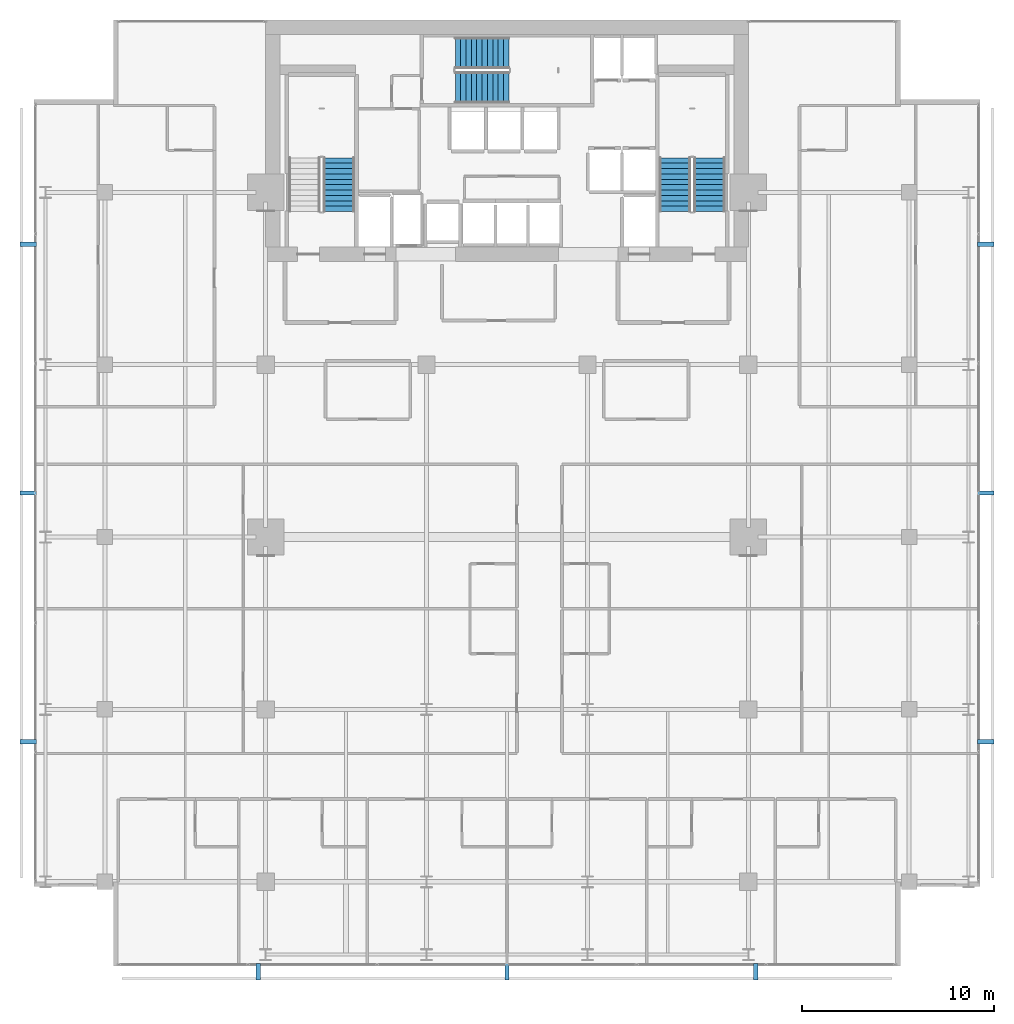
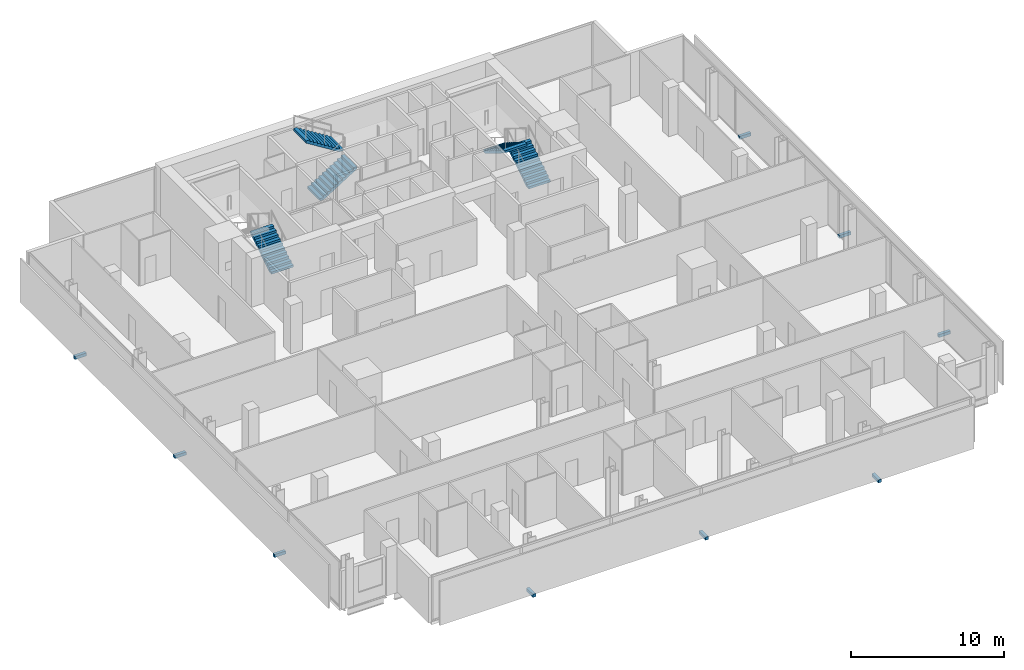
# One storey, part 31 of 33: 9 discrete accessories, 5 stair flights, 3 elements without a shape of their own.
"""IFC4 building model written with IfcOpenShell, lengths in metres."""

from ifc_helpers import new_model, si_unit, direction, frame, origin, origin_2d, place, context, subcontext, project, spatial, polyline, rectangle, outline, extrude, material, type_object, element, aggregate, save


model = new_model("IFC4")

# Units and contexts
model_context = context("Model", 3, precision=1e-05, world=origin(), true_north=direction((0.0, 1.0)))
body_context = subcontext(model_context, "Body", "Model", "MODEL_VIEW")
ifc_project = project(units=[si_unit("LENGTHUNIT", "METRE"), si_unit("AREAUNIT", "SQUARE_METRE"), si_unit("VOLUMEUNIT", "CUBIC_METRE"), si_unit("PLANEANGLEUNIT", "RADIAN"), si_unit("MASSUNIT", "GRAM", prefix="KILO")], contexts=[model_context])

# Site, building, storey
site_placement = place(None, origin())
site = spatial("IfcSite", under=ifc_project, at=site_placement, CompositionType="ELEMENT")
building_placement = place(site_placement, origin())
building = spatial("IfcBuilding", under=site, at=building_placement, Name="Maruvema Waterfront Hotel and Observation Tower", CompositionType="ELEMENT")
storey_placement = place(building_placement, frame((0.0, 0.0, 196.699951171875)))
storey = spatial("IfcBuildingStorey", under=building, at=storey_placement, Name="L48", CompositionType="ELEMENT", Elevation=196.699951171875)

# Stair, stair flight
ifc_material_1 = material(Name="Concrete C50/60", Category="concrete")
stair_type = type_object("IfcStairType", Name="Dogleg Exit Stair 1650 mm (22R x 175.0 mm)", PredefinedType="HALF_TURN_STAIR", material=ifc_material_1)
stair_1_placement = place(storey_placement, origin())
stair_1 = element("IfcStair", 1, at=stair_1_placement, inside=storey, type_object=stair_type, Name="L48 ST-01", PredefinedType="HALF_TURN_STAIR")
ifc_material_2 = material(Name="Concrete C50/60", Category="concrete")
stair_flight_type = type_object("IfcStairFlightType", Name="Reinforced Concrete Stair Flight 1650 mm (11R x 175.0 mm)", PredefinedType="STRAIGHT", material=ifc_material_2)
stair_flight_1_placement = place(storey_placement, frame((29.02490234375, 44.0, 0.0), z_axis=(0.0, 0.0, 1.0), x_axis=(0.0, 1.0, 0.0)))
stair_flight_1 = element("IfcStairFlight", 2, at=stair_flight_1_placement, type_object=stair_flight_type, Name="ST-01 flight 1", NumberOfRisers=11, NumberOfTreads=10, PredefinedType="STRAIGHT", RiserHeight=0.175, TreadLength=0.28, context=body_context, shape_type="SweptSolid", body=[
    extrude(outline(polyline([(0.0, 0.0), (0.0, 0.175048828125), (0.280029296875, 0.175048828125), (0.280029296875, 0.35009765625), (0.56005859375, 0.35009765625), (0.56005859375, 0.52490234375), (0.840087890625, 0.52490234375), (0.840087890625, 0.699951171875), (1.1201171875, 0.699951171875), (1.1201171875, 0.875), (1.39990234375, 0.875), (1.39990234375, 1.050048828125), (1.679931640625, 1.050048828125), (1.679931640625, 1.22509765625), (1.9599609375, 1.22509765625), (1.9599609375, 1.39990234375), (2.239990234375, 1.39990234375), (2.239990234375, 1.574951171875), (2.52001953125, 1.574951171875), (2.52001953125, 1.75), (2.800048828125, 1.75), (2.800048828125, 1.925048828125), (2.800048828125, 1.5732421875), (0.28271484375, 0.0), (0.0, 0.0)])), frame((0.0, 0.824951171875, 0.0), z_axis=(0.0, -1.0, 0.0), x_axis=(1.0, 0.0, 0.0)), (0.0, 0.0, 1.0), 1.64990234375),
])
aggregate(stair_1, [stair_flight_1])

# Stair, stair flights
stair_2_placement = place(storey_placement, origin())
stair_2 = element("IfcStair", 3, at=stair_2_placement, inside=storey, type_object=stair_type, Name="L48 ST-02", PredefinedType="HALF_TURN_STAIR")
stair_flight_2_placement = place(storey_placement, frame((35.10009765625, 50.47509765625, 0.0), z_axis=(0.0, 0.0, 1.0), x_axis=(1.0, 0.0, 0.0)))
stair_flight_2 = element("IfcStairFlight", 4, at=stair_flight_2_placement, type_object=stair_flight_type, Name="ST-02 flight 1", NumberOfRisers=11, NumberOfTreads=10, PredefinedType="STRAIGHT", RiserHeight=0.175, TreadLength=0.28, context=body_context, shape_type="SweptSolid", body=[
    extrude(outline(polyline([(0.0, 0.0), (0.0, 0.175048828125), (0.280029296875, 0.175048828125), (0.280029296875, 0.35009765625), (0.56005859375, 0.35009765625), (0.56005859375, 0.52490234375), (0.840087890625, 0.52490234375), (0.840087890625, 0.699951171875), (1.1201171875, 0.699951171875), (1.1201171875, 0.875), (1.39990234375, 0.875), (1.39990234375, 1.050048828125), (1.679931640625, 1.050048828125), (1.679931640625, 1.22509765625), (1.9599609375, 1.22509765625), (1.9599609375, 1.39990234375), (2.239990234375, 1.39990234375), (2.239990234375, 1.574951171875), (2.52001953125, 1.574951171875), (2.52001953125, 1.75), (2.800048828125, 1.75), (2.800048828125, 1.925048828125), (2.800048828125, 1.5732421875), (0.28271484375, 0.0), (0.0, 0.0)])), frame((0.0, 0.824951171875, 0.0), z_axis=(0.0, -1.0, 0.0), x_axis=(1.0, 0.0, 0.0)), (0.0, 0.0, 1.0), 1.64990234375),
])
stair_flight_3_placement = place(storey_placement, frame((37.89990234375, 52.27490234375, 1.925048828125), z_axis=(0.0, 0.0, 1.0), x_axis=(-1.0, 0.0, 0.0)))
stair_flight_3 = element("IfcStairFlight", 5, at=stair_flight_3_placement, type_object=stair_flight_type, Name="ST-02 flight 2", NumberOfRisers=11, NumberOfTreads=10, PredefinedType="STRAIGHT", RiserHeight=0.175, TreadLength=0.28, context=body_context, shape_type="SweptSolid", body=[
    extrude(outline(polyline([(0.0, 0.0), (0.0, 0.175048828125), (0.280029296875, 0.175048828125), (0.280029296875, 0.35009765625), (0.56005859375, 0.35009765625), (0.56005859375, 0.52490234375), (0.840087890625, 0.52490234375), (0.840087890625, 0.699951171875), (1.1201171875, 0.699951171875), (1.1201171875, 0.875), (1.39990234375, 0.875), (1.39990234375, 1.050048828125), (1.679931640625, 1.050048828125), (1.679931640625, 1.22509765625), (1.9599609375, 1.22509765625), (1.9599609375, 1.39990234375), (2.239990234375, 1.39990234375), (2.239990234375, 1.574951171875), (2.52001953125, 1.574951171875), (2.52001953125, 1.75), (2.800048828125, 1.75), (2.800048828125, 1.925048828125), (2.800048828125, 1.5732421875), (0.28271484375, 0.0), (0.0, 0.0)])), frame((0.0, 0.824951171875, 0.0), z_axis=(0.0, -1.0, 0.0), x_axis=(1.0, 0.0, 0.0)), (0.0, 0.0, 1.0), 1.64990234375),
])
aggregate(stair_2, [stair_flight_2, stair_flight_3])

stair_3_placement = place(storey_placement, origin())
stair_3 = element("IfcStair", 6, at=stair_3_placement, inside=storey, type_object=stair_type, Name="L48 ST-03", PredefinedType="HALF_TURN_STAIR")
stair_flight_4_placement = place(storey_placement, frame((48.375, 44.0, 0.0), z_axis=(0.0, 0.0, 1.0), x_axis=(0.0, 1.0, 0.0)))
stair_flight_4 = element("IfcStairFlight", 7, at=stair_flight_4_placement, type_object=stair_flight_type, Name="ST-03 flight 1", NumberOfRisers=11, NumberOfTreads=10, PredefinedType="STRAIGHT", RiserHeight=0.175, TreadLength=0.28, context=body_context, shape_type="SweptSolid", body=[
    extrude(outline(polyline([(0.0, 0.0), (0.0, 0.175048828125), (0.280029296875, 0.175048828125), (0.280029296875, 0.35009765625), (0.56005859375, 0.35009765625), (0.56005859375, 0.52490234375), (0.840087890625, 0.52490234375), (0.840087890625, 0.699951171875), (1.1201171875, 0.699951171875), (1.1201171875, 0.875), (1.39990234375, 0.875), (1.39990234375, 1.050048828125), (1.679931640625, 1.050048828125), (1.679931640625, 1.22509765625), (1.9599609375, 1.22509765625), (1.9599609375, 1.39990234375), (2.239990234375, 1.39990234375), (2.239990234375, 1.574951171875), (2.52001953125, 1.574951171875), (2.52001953125, 1.75), (2.800048828125, 1.75), (2.800048828125, 1.925048828125), (2.800048828125, 1.5732421875), (0.28271484375, 0.0), (0.0, 0.0)])), frame((0.0, 0.824951171875, 0.0), z_axis=(0.0, -1.0, 0.0), x_axis=(1.0, 0.0, 0.0)), (0.0, 0.0, 1.0), 1.64990234375),
])
stair_flight_5_placement = place(storey_placement, frame((46.574951171875, 46.800048828125, 1.925048828125), z_axis=(0.0, 0.0, 1.0), x_axis=(0.0, -1.0, 0.0)))
stair_flight_5 = element("IfcStairFlight", 8, at=stair_flight_5_placement, type_object=stair_flight_type, Name="ST-03 flight 2", NumberOfRisers=11, NumberOfTreads=10, PredefinedType="STRAIGHT", RiserHeight=0.175, TreadLength=0.28, context=body_context, shape_type="SweptSolid", body=[
    extrude(outline(polyline([(0.0, 0.0), (0.0, 0.175048828125), (0.280029296875, 0.175048828125), (0.280029296875, 0.35009765625), (0.56005859375, 0.35009765625), (0.56005859375, 0.52490234375), (0.840087890625, 0.52490234375), (0.840087890625, 0.699951171875), (1.1201171875, 0.699951171875), (1.1201171875, 0.875), (1.39990234375, 0.875), (1.39990234375, 1.050048828125), (1.679931640625, 1.050048828125), (1.679931640625, 1.22509765625), (1.9599609375, 1.22509765625), (1.9599609375, 1.39990234375), (2.239990234375, 1.39990234375), (2.239990234375, 1.574951171875), (2.52001953125, 1.574951171875), (2.52001953125, 1.75), (2.800048828125, 1.75), (2.800048828125, 1.925048828125), (2.800048828125, 1.5732421875), (0.28271484375, 0.0), (0.0, 0.0)])), frame((0.0, 0.824951171875, 0.0), z_axis=(0.0, -1.0, 0.0), x_axis=(1.0, 0.0, 0.0)), (0.0, 0.0, 1.0), 1.64990234375),
])
aggregate(stair_3, [stair_flight_4, stair_flight_5])

# Discrete accessories
ifc_material_3 = material(Name="Duplex stainless steel Grade 2205", Category="steel")
discrete_accessory_type = type_object("IfcDiscreteAccessoryType", Name="Double-Skin Cavity Stainless Outrigger Bracket", PredefinedType="BRACKET", material=ifc_material_3)
for number, where, z_axis, x_axis, name in (
    (9, (24.80810546875, 4.300048828125, -0.14013671875), (0.0, 0.0, 1.0), (1.0, 0.0, 0.0), "L48 Outer Skin Support Bracket 1"),
    (10, (37.800048828125, 4.300048828125, -0.14013671875), (0.0, 0.0, 1.0), (1.0, 0.0, 0.0), "L48 Outer Skin Support Bracket 2"),
    (11, (50.7919921875, 4.300048828125, -0.14013671875), (0.0, 0.0, 1.0), (1.0, 0.0, 0.0), "L48 Outer Skin Support Bracket 3"),
    (12, (62.800048828125, 16.30810546875, -0.14013671875), (0.0, 0.0, 1.0), (0.0, 1.0, 0.0), "L48 Outer Skin Support Bracket 1"),
    (13, (62.800048828125, 29.300048828125, -0.14013671875), (0.0, 0.0, 1.0), (0.0, 1.0, 0.0), "L48 Outer Skin Support Bracket 2"),
    (14, (62.800048828125, 42.2919921875, -0.14013671875), (0.0, 0.0, 1.0), (0.0, 1.0, 0.0), "L48 Outer Skin Support Bracket 3"),
    (15, (12.800048828125, 42.2919921875, -0.14013671875), (0.0, 0.0, 1.0), (0.0, -1.0, 0.0), "L48 Outer Skin Support Bracket 1"),
    (16, (12.800048828125, 29.300048828125, -0.14013671875), (0.0, 0.0, 1.0), (0.0, -1.0, 0.0), "L48 Outer Skin Support Bracket 2"),
    (17, (12.800048828125, 16.30810546875, -0.14013671875), (0.0, 0.0, 1.0), (0.0, -1.0, 0.0), "L48 Outer Skin Support Bracket 3"),
):
    element("IfcDiscreteAccessory", number, at=place(storey_placement, frame(where, z_axis=z_axis, x_axis=x_axis)), inside=storey, type_object=discrete_accessory_type, Name=name, PredefinedType="BRACKET", context=body_context, shape_type="SweptSolid", body=[
        extrude(rectangle(XDim=0.219970703125, YDim=0.860107421875, at=origin_2d()), origin(), (0.0, 0.0, 1.0), 0.239990234375),
    ])

save(model, "model.ifc")
